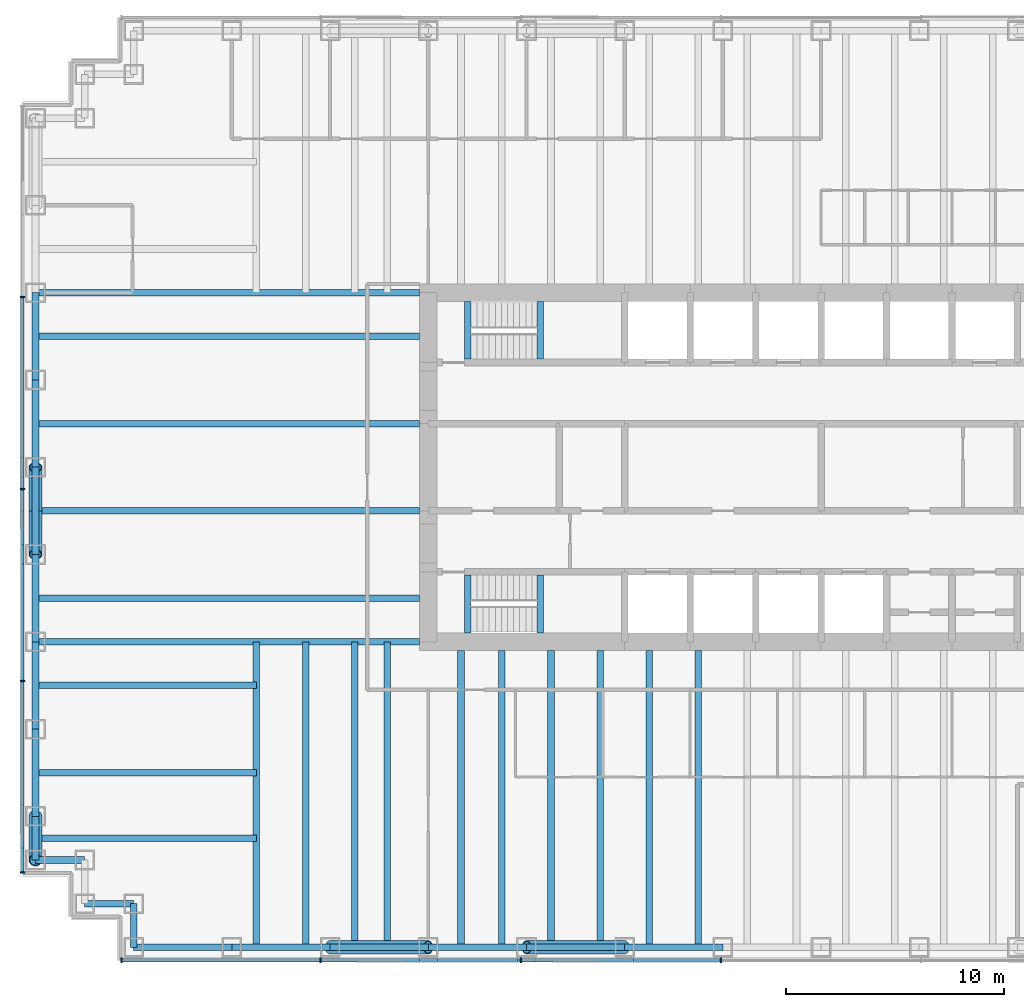
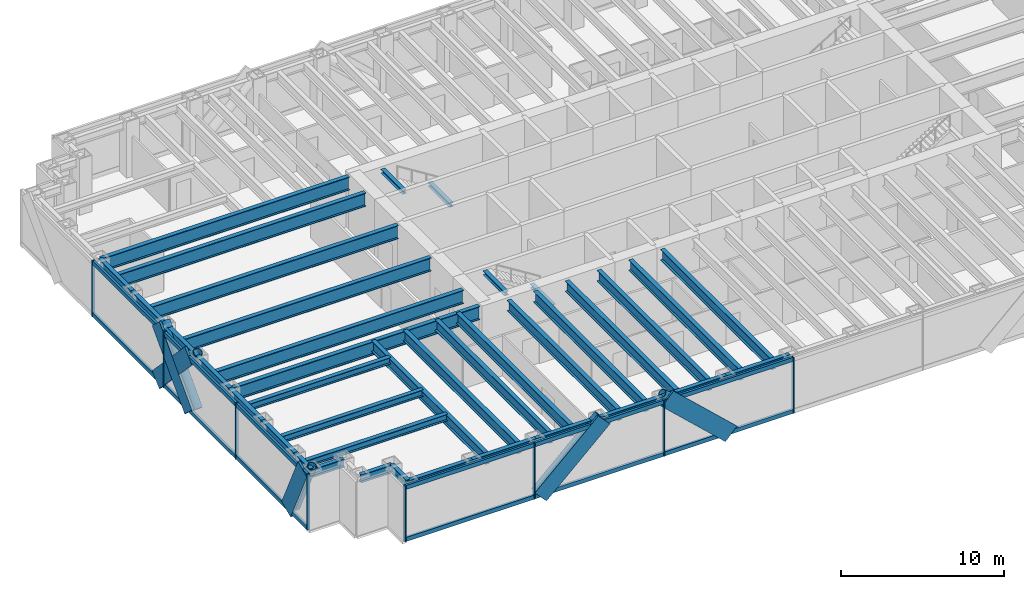
# One storey, part 2 of 14: 39 beams, 30 members, 2 elements without a shape of their own.
"""IFC4 building model written with IfcOpenShell, lengths in metres."""

import ifcopenshell
import ifcopenshell.guid

model = None  # the IFC model being written
_history = None  # IfcOwnerHistory: only IFC2X3 demands one
_inside = {}  # id of a spatial element -> (the spatial element, [elements in it])
_under = {}  # id of a project, library or spatial element -> (it, [spatial elements below it])
_declared = {}  # id of a project -> (the project, [libraries it declares])
_typed = {}  # id of a type object -> (the type object, [elements of that type])
_made_of = {}  # id of a material, layer set ... -> (it, [elements and type objects made of it])


def new_model(schema):
    """Start an empty IFC model of exactly this schema.

    Asked for "IFC4X3", IfcOpenShell would pick the latest addendum, in which some entities
    have other attributes; the version numbers below select the first issue.
    IFC2X3 requires an IfcOwnerHistory on every rooted entity: one is made here for all.
    """
    global model, _history
    if schema == "IFC4X3":
        model = ifcopenshell.file(schema_version=(4, 3, 0, 0))
    else:
        model = ifcopenshell.file(schema=schema)
    _inside.clear()
    _under.clear()
    _declared.clear()
    _typed.clear()
    _made_of.clear()
    _history = None
    if model.schema == "IFC2X3":
        org = make("IfcOrganization", Name="unknown")
        user = make(
            "IfcPersonAndOrganization",
            ThePerson=make("IfcPerson", FamilyName="unknown"),
            TheOrganization=org,
        )
        app = make(
            "IfcApplication",
            ApplicationDeveloper=org,
            Version="unknown",
            ApplicationFullName="unknown",
            ApplicationIdentifier="unknown",
        )
        _history = make(
            "IfcOwnerHistory",
            OwningUser=user,
            OwningApplication=app,
            ChangeAction="ADDED",
            CreationDate=0,
        )
    return model


def make(cls, **values):
    """One entity of the class cls with the attributes given. An attribute that is None is left unset."""
    return model.create_entity(
        cls, **{name: value for name, value in values.items() if value is not None}
    )


def rooted(cls, **values):
    """An entity with a GlobalId (a new one), such as an element, a storey or a relation."""
    return make(cls, GlobalId=ifcopenshell.guid.new(), OwnerHistory=_history, **values)


def si_unit(unit_type, name, prefix=None):
    """IfcSIUnit, for example si_unit("LENGTHUNIT", "METRE", prefix="MILLI")."""
    return make("IfcSIUnit", UnitType=unit_type, Prefix=prefix, Name=name)


def assignment(units):
    """IfcUnitAssignment: the units of a project."""
    return None if units is None else make("IfcUnitAssignment", Units=units)


def point(xyz):
    """IfcCartesianPoint."""
    return None if xyz is None else make("IfcCartesianPoint", Coordinates=xyz)


def direction(xyz):
    """IfcDirection."""
    return None if xyz is None else make("IfcDirection", DirectionRatios=xyz)


def frame(location, z_axis=None, x_axis=None):
    """IfcAxis2Placement3D, a coordinate frame: its origin and axes. An axis left out is left unset."""
    return make(
        "IfcAxis2Placement3D",
        Location=point(location),
        Axis=direction(z_axis),
        RefDirection=direction(x_axis),
    )


def frame_2d(location, x_axis=None):
    """IfcAxis2Placement2D, a coordinate frame in the plane: its origin and x axis."""
    return make(
        "IfcAxis2Placement2D", Location=point(location), RefDirection=direction(x_axis)
    )


def origin():
    """The frame at (0, 0, 0) with its axes left unset."""
    return frame((0.0, 0.0, 0.0))


def origin_2d():
    """The frame at (0, 0) in the plane with its x axis left unset."""
    return frame_2d((0.0, 0.0))


def place(relative_to, where):
    """IfcLocalPlacement: puts the frame where relative to a parent placement (None: the world)."""
    return make(
        "IfcLocalPlacement", PlacementRelTo=relative_to, RelativePlacement=where
    )


def context(
    kind, dimensions, precision=None, world=None, true_north=None, identifier=None
):
    """IfcGeometricRepresentationContext, for example the 3D "Model" context."""
    return make(
        "IfcGeometricRepresentationContext",
        ContextIdentifier=identifier,
        ContextType=kind,
        CoordinateSpaceDimension=dimensions,
        Precision=precision,
        WorldCoordinateSystem=world,
        TrueNorth=true_north,
    )


def subcontext(parent, identifier, kind, view, scale=None):
    """IfcGeometricRepresentationSubContext, for example "Body" below "Model"."""
    return make(
        "IfcGeometricRepresentationSubContext",
        ContextIdentifier=identifier,
        ContextType=kind,
        ParentContext=parent,
        TargetScale=scale,
        TargetView=view,
    )


def project(units=None, contexts=None):
    """IfcProject with its units and contexts."""
    return rooted(
        "IfcProject",
        Name="project",
        RepresentationContexts=contexts,
        UnitsInContext=assignment(units),
    )


def spatial(cls, under=None, at=None, **own):
    """A site, building, storey or space (cls), placed at a placement, below another one or the project."""
    s = rooted(cls, ObjectPlacement=at, **own)
    if under is not None:
        _under.setdefault(under.id(), (under, []))[1].append(s)
    return s


def profile(cls, at=None, kind="AREA", **sizes):
    """A parametric profile (cls). Its sizes go by their IFC names, for example OverallWidth=200.0."""
    return make(cls, ProfileType=kind, Position=at, **sizes)


def rectangle(**sizes):
    """IfcRectangleProfileDef."""
    return profile("IfcRectangleProfileDef", **sizes)


def hollow_circle(**sizes):
    """IfcCircleHollowProfileDef."""
    return profile("IfcCircleHollowProfileDef", **sizes)


def i_section(**sizes):
    """IfcIShapeProfileDef."""
    return profile("IfcIShapeProfileDef", **sizes)


def extrude(swept, where, along, depth):
    """IfcExtrudedAreaSolid: the profile swept, set in the frame where, extruded along a direction by depth."""
    return make(
        "IfcExtrudedAreaSolid",
        SweptArea=swept,
        Position=where,
        ExtrudedDirection=direction(along),
        Depth=depth,
    )


def shape(context_of_items, identifier, shape_type, items):
    """IfcShapeRepresentation: the items that make up one representation, for example the "Body"."""
    return make(
        "IfcShapeRepresentation",
        ContextOfItems=context_of_items,
        RepresentationIdentifier=identifier,
        RepresentationType=shape_type,
        Items=items,
    )


def material(Name=None, Category=None):
    """IfcMaterial."""
    return make("IfcMaterial", Name=Name, Category=Category)


def material_profile(
    of_material, cross_section, Name=None, Category=None, Priority=None
):
    """IfcMaterialProfile: a cross section and its material."""
    return make(
        "IfcMaterialProfile",
        Name=Name,
        Material=of_material,
        Profile=cross_section,
        Priority=Priority,
        Category=Category,
    )


def profile_set(profiles, Name=None, composite=None):
    """IfcMaterialProfileSet."""
    return make(
        "IfcMaterialProfileSet",
        Name=Name,
        MaterialProfiles=profiles,
        CompositeProfile=composite,
    )


def made_of(thing, what):
    """Note that an element or type object is made of a material, layer set ...; save() writes the relation."""
    if what is not None:
        _made_of.setdefault(what.id(), (what, []))[1].append(thing)
    return thing


def type_object(cls, material=None, **own):
    """A type object (cls), such as IfcWallType, which elements share."""
    return made_of(rooted(cls, **own), material)


def element(
    cls,
    number,
    at=None,
    inside=None,
    cuts=None,
    type_object=None,
    material=None,
    context=None,
    identifier="Body",
    shape_type=None,
    held_by="IfcProductDefinitionShape",
    body=None,
    shapes=None,
    **own,
):
    """One element of the class cls, such as IfcWall. Its Tag is "e" and its number.

    at: its placement. inside: the storey or other place that contains it. cuts: it is an
    opening in that element (IfcRelVoidsElement). A single representation is given by context,
    identifier, shape_type and body (its items); several are given by shapes. held_by: the class
    of the entity that holds the representations. save() writes the other relations.
    """
    e = rooted(cls, Tag="e%d" % number, ObjectPlacement=at, **own)
    if body is not None:
        shapes = [shape(context, identifier, shape_type, body)]
    if shapes is not None:
        e.Representation = make(held_by, Representations=shapes)
    if inside is not None:
        _inside.setdefault(inside.id(), (inside, []))[1].append(e)
    if cuts is not None:
        rooted(
            "IfcRelVoidsElement", RelatingBuildingElement=cuts, RelatedOpeningElement=e
        )
    if type_object is not None:
        _typed.setdefault(type_object.id(), (type_object, []))[1].append(e)
    return made_of(e, material)


def aggregate(whole, parts):
    """IfcRelAggregates: a whole, such as a stair, and the parts it consists of."""
    return rooted("IfcRelAggregates", RelatingObject=whole, RelatedObjects=parts)


def save(model, path):
    """Write the relations noted so far, then the file.

    IfcRelAggregates (storeys below a building ...), IfcRelContainedInSpatialStructure (elements
    in a storey), IfcRelDefinesByType, IfcRelAssociatesMaterial and IfcRelDeclares: one each for
    every whole, place, type object, material and project.
    """
    for whole, parts in _under.values():
        aggregate(whole, parts)
    for where, things in _inside.values():
        rooted(
            "IfcRelContainedInSpatialStructure",
            RelatedElements=things,
            RelatingStructure=where,
        )
    for kind, things in _typed.values():
        rooted("IfcRelDefinesByType", RelatedObjects=things, RelatingType=kind)
    for what, things in _made_of.values():
        rooted("IfcRelAssociatesMaterial", RelatedObjects=things, RelatingMaterial=what)
    for by, libraries in _declared.values():
        rooted("IfcRelDeclares", RelatingContext=by, RelatedDefinitions=libraries)
    model.write(path)


model = new_model("IFC4")

# Units and contexts
model_context = context("Model", 3, precision=1e-05, world=origin(), true_north=direction((0.0, 1.0)))
body_context = subcontext(model_context, "Body", "Model", "MODEL_VIEW")
ifc_project = project(units=[si_unit("LENGTHUNIT", "METRE"), si_unit("AREAUNIT", "SQUARE_METRE"), si_unit("VOLUMEUNIT", "CUBIC_METRE"), si_unit("PLANEANGLEUNIT", "RADIAN"), si_unit("MASSUNIT", "GRAM", prefix="KILO")], contexts=[model_context])

# Site, building, storey
site_placement = place(None, origin())
site = spatial("IfcSite", under=ifc_project, at=site_placement, CompositionType="ELEMENT")
building_placement = place(site_placement, origin())
building = spatial("IfcBuilding", under=site, at=building_placement, Name="Rheinbord Bourse Tower", CompositionType="ELEMENT")
storey_placement = place(building_placement, frame((0.0, 0.0, 253.0)))
storey = spatial("IfcBuildingStorey", under=building, at=storey_placement, Name="L57", CompositionType="ELEMENT", Elevation=253.0)

# Curtain wall, members
ifc_material_1 = material(Name="Dark glass and black aluminium", Category="aluminium")
curtain_wall_type = type_object("IfcCurtainWallType", Name="CW2 DARK GLASS CURTAIN WALL", PredefinedType="USERDEFINED", material=ifc_material_1)
curtain_wall_1_placement = place(storey_placement, origin())
curtain_wall_1 = element("IfcCurtainWall", 1, at=curtain_wall_1_placement, inside=storey, type_object=curtain_wall_type, Name="Curtain wall CW2 S L57", ObjectType="UNITISED CURTAIN WALL", PredefinedType="USERDEFINED")
ifc_material_2 = material(Name="Black anodised aluminium", Category="aluminium")
ifc_material_profile_1 = material_profile(ifc_material_2, rectangle(XDim=0.159912109375, YDim=1.2099609375, at=origin_2d()), Name="CW2 DIAGONAL MULLION 1210x160")
ifc_profile_set_1 = profile_set([ifc_material_profile_1], Name="Black anodised aluminium")
member_type_1 = type_object("IfcMemberType", Name="CW2 BLACK DIAGONAL MULLION", PredefinedType="USERDEFINED", material=ifc_profile_set_1)
member_1_placement = place(storey_placement, frame((13.5, 1.39990234375, 0.0), z_axis=(0.73105922506, 0.0, 0.682314010889), x_axis=(0.0, 1.0, 0.0)))
member_1 = element("IfcMember", 2, at=member_1_placement, type_object=member_type_1, Name="CW2 diagonal mullion a", ObjectType="DIAGONAL MULLION", PredefinedType="USERDEFINED", context=body_context, shape_type="SweptSolid", body=[
    extrude(rectangle(XDim=0.159912109375, YDim=1.2099609375, at=origin_2d()), origin(), (0.0, 0.0, 1.0), 6.155517578125),
])
member_2_placement = place(storey_placement, frame((27.0, 1.39990234375, 0.0), z_axis=(-0.73105922506, 0.0, 0.682314010889), x_axis=(0.0, -1.0, 0.0)))
member_2 = element("IfcMember", 3, at=member_2_placement, type_object=member_type_1, Name="CW2 diagonal mullion d", ObjectType="DIAGONAL MULLION", PredefinedType="USERDEFINED", context=body_context, shape_type="SweptSolid", body=[
    extrude(rectangle(XDim=0.159912109375, YDim=1.2099609375, at=origin_2d()), origin(), (0.0, 0.0, 1.0), 6.155517578125),
])

curtain_wall_2_placement = place(storey_placement, origin())
curtain_wall_2 = element("IfcCurtainWall", 4, at=curtain_wall_2_placement, inside=storey, type_object=curtain_wall_type, Name="Curtain wall CW2 W L57", ObjectType="UNITISED CURTAIN WALL", PredefinedType="USERDEFINED")
member_3_placement = place(storey_placement, frame((-0.60009765625, 20.0, 0.0), z_axis=(0.0, 0.689659376744, 0.724133926887), x_axis=(-1.0, 0.0, 0.0)))
member_3 = element("IfcMember", 5, at=member_3_placement, type_object=member_type_1, Name="CW2 diagonal mullion a", ObjectType="DIAGONAL MULLION", PredefinedType="USERDEFINED", context=body_context, shape_type="SweptSolid", body=[
    extrude(rectangle(XDim=0.159912109375, YDim=1.2099609375, at=origin_2d()), origin(), (0.0, 0.0, 1.0), 5.800048828125),
])
member_4_placement = place(storey_placement, frame((-0.60009765625, 24.0, 0.0), z_axis=(0.0, -0.689659376744, 0.724133926887), x_axis=(1.0, 0.0, 0.0)))
member_4 = element("IfcMember", 6, at=member_4_placement, type_object=member_type_1, Name="CW2 diagonal mullion b", ObjectType="DIAGONAL MULLION", PredefinedType="USERDEFINED", context=body_context, shape_type="SweptSolid", body=[
    extrude(rectangle(XDim=0.159912109375, YDim=1.2099609375, at=origin_2d()), origin(), (0.0, 0.0, 1.0), 5.800048828125),
])
member_5_placement = place(storey_placement, frame((-0.60009765625, 8.0, 0.0), z_axis=(0.0, -0.429937654825, 0.902858578607), x_axis=(1.0, 0.0, 0.0)))
member_5 = element("IfcMember", 7, at=member_5_placement, type_object=member_type_1, Name="CW2 diagonal mullion d", ObjectType="DIAGONAL MULLION", PredefinedType="USERDEFINED", context=body_context, shape_type="SweptSolid", body=[
    extrude(rectangle(XDim=0.159912109375, YDim=1.2099609375, at=origin_2d()), origin(), (0.0, 0.0, 1.0), 4.65185546875),
])

# Member
ifc_material_3 = material(Name="Black anodised aluminium", Category="aluminium")
ifc_material_profile_2 = material_profile(ifc_material_3, rectangle(XDim=0.219970703125, YDim=0.070068359375, at=origin_2d()), Name="CW2 MULLION 70x220")
ifc_profile_set_2 = profile_set([ifc_material_profile_2], Name="Black anodised aluminium")
member_type_2 = type_object("IfcMemberType", Name="CW2 BLACK MULLION", PredefinedType="MULLION", material=ifc_profile_set_2)
member_6_placement = place(storey_placement, frame((3.93505859375, 1.39990234375, 0.0), z_axis=(0.0, 0.0, 1.0), x_axis=(0.0, 1.0, 0.0)))
member_6 = element("IfcMember", 8, at=member_6_placement, type_object=member_type_2, Name="CW2 mullion 1", PredefinedType="MULLION", context=body_context, shape_type="SweptSolid", body=[
    extrude(rectangle(XDim=0.219970703125, YDim=0.070068359375, at=origin_2d()), origin(), (0.0, 0.0, 1.0), 4.199951171875),
])

member_7_placement = place(storey_placement, frame((13.071533203125, 1.39990234375, 0.0), z_axis=(0.0, 0.0, 1.0), x_axis=(0.0, 1.0, 0.0)))
member_7 = element("IfcMember", 9, at=member_7_placement, type_object=member_type_2, Name="CW2 mullion 2", PredefinedType="MULLION", context=body_context, shape_type="SweptSolid", body=[
    extrude(rectangle(XDim=0.219970703125, YDim=0.070068359375, at=origin_2d()), origin(), (0.0, 0.0, 1.0), 4.199951171875),
])

member_8_placement = place(storey_placement, frame((22.242919921875, 1.39990234375, 0.0), z_axis=(0.0, 0.0, 1.0), x_axis=(0.0, 1.0, 0.0)))
member_8 = element("IfcMember", 10, at=member_8_placement, type_object=member_type_2, Name="CW2 mullion 3", PredefinedType="MULLION", context=body_context, shape_type="SweptSolid", body=[
    extrude(rectangle(XDim=0.219970703125, YDim=0.070068359375, at=origin_2d()), origin(), (0.0, 0.0, 1.0), 4.199951171875),
])

member_9_placement = place(storey_placement, frame((31.414306640625, 1.39990234375, 0.0), z_axis=(0.0, 0.0, 1.0), x_axis=(0.0, 1.0, 0.0)))
member_9 = element("IfcMember", 11, at=member_9_placement, type_object=member_type_2, Name="CW2 mullion 4", PredefinedType="MULLION", context=body_context, shape_type="SweptSolid", body=[
    extrude(rectangle(XDim=0.219970703125, YDim=0.070068359375, at=origin_2d()), origin(), (0.0, 0.0, 1.0), 4.199951171875),
])

member_10_placement = place(storey_placement, frame((-0.60009765625, 31.800048828125, 0.0), z_axis=(0.0, 0.0, 1.0), x_axis=(1.0, 0.0, 0.0)))
member_10 = element("IfcMember", 12, at=member_10_placement, type_object=member_type_2, Name="CW2 mullion 2", PredefinedType="MULLION", context=body_context, shape_type="SweptSolid", body=[
    extrude(rectangle(XDim=0.219970703125, YDim=0.070068359375, at=origin_2d()), origin(), (0.0, 0.0, 1.0), 4.199951171875),
])

member_11_placement = place(storey_placement, frame((-0.60009765625, 23.0, 0.0), z_axis=(0.0, 0.0, 1.0), x_axis=(1.0, 0.0, 0.0)))
member_11 = element("IfcMember", 13, at=member_11_placement, type_object=member_type_2, Name="CW2 mullion 3", PredefinedType="MULLION", context=body_context, shape_type="SweptSolid", body=[
    extrude(rectangle(XDim=0.219970703125, YDim=0.070068359375, at=origin_2d()), origin(), (0.0, 0.0, 1.0), 4.199951171875),
])

member_12_placement = place(storey_placement, frame((-0.60009765625, 14.199951171875, 0.0), z_axis=(0.0, 0.0, 1.0), x_axis=(1.0, 0.0, 0.0)))
member_12 = element("IfcMember", 14, at=member_12_placement, type_object=member_type_2, Name="CW2 mullion 4", PredefinedType="MULLION", context=body_context, shape_type="SweptSolid", body=[
    extrude(rectangle(XDim=0.219970703125, YDim=0.070068359375, at=origin_2d()), origin(), (0.0, 0.0, 1.0), 4.199951171875),
])

member_13_placement = place(storey_placement, frame((-0.60009765625, 5.43505859375, 0.0), z_axis=(0.0, 0.0, 1.0), x_axis=(1.0, 0.0, 0.0)))
member_13 = element("IfcMember", 15, at=member_13_placement, type_object=member_type_2, Name="CW2 mullion 5", PredefinedType="MULLION", context=body_context, shape_type="SweptSolid", body=[
    extrude(rectangle(XDim=0.219970703125, YDim=0.070068359375, at=origin_2d()), origin(), (0.0, 0.0, 1.0), 4.199951171875),
])

ifc_material_4 = material(Name="Black anodised aluminium", Category="aluminium")
ifc_material_profile_3 = material_profile(ifc_material_4, rectangle(XDim=0.159912109375, YDim=0.300048828125, at=origin_2d()), Name="CW2 TRANSOM 300x160")
ifc_profile_set_3 = profile_set([ifc_material_profile_3], Name="Black anodised aluminium")
member_type_3 = type_object("IfcMemberType", Name="CW2 BLACK TRANSOM", PredefinedType="USERDEFINED", material=ifc_profile_set_3)
member_14_placement = place(storey_placement, frame((3.969970703125, 1.39990234375, 0.14990234375), z_axis=(1.0, 0.0, 0.0), x_axis=(0.0, 1.0, 0.0)))
member_14 = element("IfcMember", 16, at=member_14_placement, type_object=member_type_3, Name="CW2 transom 1.1", ObjectType="TRANSOM", PredefinedType="USERDEFINED", context=body_context, shape_type="SweptSolid", body=[
    extrude(rectangle(XDim=0.159912109375, YDim=0.300048828125, at=origin_2d()), origin(), (0.0, 0.0, 1.0), 9.06640625),
])

member_15_placement = place(storey_placement, frame((3.969970703125, 1.39990234375, 4.050048828125), z_axis=(1.0, 0.0, 0.0), x_axis=(0.0, 1.0, 0.0)))
member_15 = element("IfcMember", 17, at=member_15_placement, type_object=member_type_3, Name="CW2 transom 1.2", ObjectType="TRANSOM", PredefinedType="USERDEFINED", context=body_context, shape_type="SweptSolid", body=[
    extrude(rectangle(XDim=0.159912109375, YDim=0.300048828125, at=origin_2d()), origin(), (0.0, 0.0, 1.0), 9.06640625),
])

member_16_placement = place(storey_placement, frame((13.1064453125, 1.39990234375, 0.14990234375), z_axis=(1.0, 0.0, 0.0), x_axis=(0.0, 1.0, 0.0)))
member_16 = element("IfcMember", 18, at=member_16_placement, type_object=member_type_3, Name="CW2 transom 2.1", ObjectType="TRANSOM", PredefinedType="USERDEFINED", context=body_context, shape_type="SweptSolid", body=[
    extrude(rectangle(XDim=0.159912109375, YDim=0.300048828125, at=origin_2d()), origin(), (0.0, 0.0, 1.0), 9.101318359375),
])

member_17_placement = place(storey_placement, frame((13.1064453125, 1.39990234375, 4.050048828125), z_axis=(1.0, 0.0, 0.0), x_axis=(0.0, 1.0, 0.0)))
member_17 = element("IfcMember", 19, at=member_17_placement, type_object=member_type_3, Name="CW2 transom 2.2", ObjectType="TRANSOM", PredefinedType="USERDEFINED", context=body_context, shape_type="SweptSolid", body=[
    extrude(rectangle(XDim=0.159912109375, YDim=0.300048828125, at=origin_2d()), origin(), (0.0, 0.0, 1.0), 9.101318359375),
])

member_18_placement = place(storey_placement, frame((22.27783203125, 1.39990234375, 0.14990234375), z_axis=(1.0, 0.0, 0.0), x_axis=(0.0, 1.0, 0.0)))
member_18 = element("IfcMember", 20, at=member_18_placement, type_object=member_type_3, Name="CW2 transom 3.1", ObjectType="TRANSOM", PredefinedType="USERDEFINED", context=body_context, shape_type="SweptSolid", body=[
    extrude(rectangle(XDim=0.159912109375, YDim=0.300048828125, at=origin_2d()), origin(), (0.0, 0.0, 1.0), 9.1015625),
])

member_19_placement = place(storey_placement, frame((22.27783203125, 1.39990234375, 4.050048828125), z_axis=(1.0, 0.0, 0.0), x_axis=(0.0, 1.0, 0.0)))
member_19 = element("IfcMember", 21, at=member_19_placement, type_object=member_type_3, Name="CW2 transom 3.2", ObjectType="TRANSOM", PredefinedType="USERDEFINED", context=body_context, shape_type="SweptSolid", body=[
    extrude(rectangle(XDim=0.159912109375, YDim=0.300048828125, at=origin_2d()), origin(), (0.0, 0.0, 1.0), 9.1015625),
])

aggregate(curtain_wall_1, [member_6, member_7, member_8, member_9, member_14, member_15, member_16, member_17, member_18, member_19, member_1, member_2])

member_20_placement = place(storey_placement, frame((-0.60009765625, 31.764892578125, 0.14990234375), z_axis=(0.0, -1.0, 0.0), x_axis=(1.0, 0.0, 0.0)))
member_20 = element("IfcMember", 22, at=member_20_placement, type_object=member_type_3, Name="CW2 transom 2.1", ObjectType="TRANSOM", PredefinedType="USERDEFINED", context=body_context, shape_type="SweptSolid", body=[
    extrude(rectangle(XDim=0.159912109375, YDim=0.300048828125, at=origin_2d()), origin(), (0.0, 0.0, 1.0), 8.72998046875),
])

member_21_placement = place(storey_placement, frame((-0.60009765625, 31.764892578125, 4.050048828125), z_axis=(0.0, -1.0, 0.0), x_axis=(1.0, 0.0, 0.0)))
member_21 = element("IfcMember", 23, at=member_21_placement, type_object=member_type_3, Name="CW2 transom 2.2", ObjectType="TRANSOM", PredefinedType="USERDEFINED", context=body_context, shape_type="SweptSolid", body=[
    extrude(rectangle(XDim=0.159912109375, YDim=0.300048828125, at=origin_2d()), origin(), (0.0, 0.0, 1.0), 8.72998046875),
])

member_22_placement = place(storey_placement, frame((-0.60009765625, 22.965087890625, 0.14990234375), z_axis=(0.0, -1.0, 0.0), x_axis=(1.0, 0.0, 0.0)))
member_22 = element("IfcMember", 24, at=member_22_placement, type_object=member_type_3, Name="CW2 transom 3.1", ObjectType="TRANSOM", PredefinedType="USERDEFINED", context=body_context, shape_type="SweptSolid", body=[
    extrude(rectangle(XDim=0.159912109375, YDim=0.300048828125, at=origin_2d()), origin(), (0.0, 0.0, 1.0), 8.72998046875),
])

member_23_placement = place(storey_placement, frame((-0.60009765625, 22.965087890625, 4.050048828125), z_axis=(0.0, -1.0, 0.0), x_axis=(1.0, 0.0, 0.0)))
member_23 = element("IfcMember", 25, at=member_23_placement, type_object=member_type_3, Name="CW2 transom 3.2", ObjectType="TRANSOM", PredefinedType="USERDEFINED", context=body_context, shape_type="SweptSolid", body=[
    extrude(rectangle(XDim=0.159912109375, YDim=0.300048828125, at=origin_2d()), origin(), (0.0, 0.0, 1.0), 8.72998046875),
])

member_24_placement = place(storey_placement, frame((-0.60009765625, 14.1650390625, 0.14990234375), z_axis=(0.0, -1.0, 0.0), x_axis=(1.0, 0.0, 0.0)))
member_24 = element("IfcMember", 26, at=member_24_placement, type_object=member_type_3, Name="CW2 transom 4.1", ObjectType="TRANSOM", PredefinedType="USERDEFINED", context=body_context, shape_type="SweptSolid", body=[
    extrude(rectangle(XDim=0.159912109375, YDim=0.300048828125, at=origin_2d()), origin(), (0.0, 0.0, 1.0), 8.695068359375),
])

member_25_placement = place(storey_placement, frame((-0.60009765625, 14.1650390625, 4.050048828125), z_axis=(0.0, -1.0, 0.0), x_axis=(1.0, 0.0, 0.0)))
member_25 = element("IfcMember", 27, at=member_25_placement, type_object=member_type_3, Name="CW2 transom 4.2", ObjectType="TRANSOM", PredefinedType="USERDEFINED", context=body_context, shape_type="SweptSolid", body=[
    extrude(rectangle(XDim=0.159912109375, YDim=0.300048828125, at=origin_2d()), origin(), (0.0, 0.0, 1.0), 8.695068359375),
])

aggregate(curtain_wall_2, [member_10, member_11, member_12, member_13, member_20, member_21, member_22, member_23, member_24, member_25, member_3, member_4, member_5])

# Beams
ifc_material_5 = material(Name="Steel S460", Category="steel")
ifc_material_profile_4 = material_profile(ifc_material_5, i_section(OverallWidth=0.302001953125, OverallDepth=1.008056640625, WebThickness=0.02099609375, FlangeThickness=0.0400390625, at=origin_2d()), Name="HEM 1000")
ifc_profile_set_4 = profile_set([ifc_material_profile_4], Name="Steel S460")
beam_type_1 = type_object("IfcBeamType", Name="END BEAM HEM 1000", PredefinedType="BEAM", material=ifc_profile_set_4)
for number, where, z_axis, x_axis, name in (
    (28, (0.0, 18.0, 3.535888671875), (1.0, 0.0, 0.0), (0.0, 1.0, 0.0), "End beam west 18 L58"),
    (29, (0.0, 22.0, 3.535888671875), (1.0, 0.0, 0.0), (0.0, 1.0, 0.0), "End beam west 22 L58"),
    (30, (0.0, 26.0, 3.535888671875), (1.0, 0.0, 0.0), (0.0, 1.0, 0.0), "End beam west 26 L58"),
    (31, (0.0, 30.0, 3.535888671875), (1.0, 0.0, 0.0), (0.0, 1.0, 0.0), "End beam west 30 L58"),
):
    element("IfcBeam", number, at=place(storey_placement, frame(where, z_axis=z_axis, x_axis=x_axis)), inside=storey, type_object=beam_type_1, Name=name, PredefinedType="BEAM", context=body_context, shape_type="SweptSolid", body=[
        extrude(i_section(OverallWidth=0.302001953125, OverallDepth=1.008056640625, WebThickness=0.02099609375, FlangeThickness=0.0400390625, at=origin_2d()), origin(), (0.0, 0.0, 1.0), 17.60009765625),
    ])
ifc_material_6 = material(Name="Steel S460", Category="steel")
ifc_material_profile_5 = material_profile(ifc_material_6, i_section(OverallWidth=0.300048828125, OverallDepth=0.800048828125, WebThickness=0.017578125, FlangeThickness=0.032958984375, at=origin_2d()), Name="HEB 800")
ifc_profile_set_5 = profile_set([ifc_material_profile_5], Name="Steel S460")
beam_type_2 = type_object("IfcBeamType", Name="FLOOR BEAM HEB 800", PredefinedType="BEAM", material=ifc_profile_set_5)
for number, where, z_axis, x_axis, name in (
    (32, (10.125, 2.0, 3.639892578125), (0.0, 1.0, 0.0), (-1.0, 0.0, 0.0), "Floor beam S-9a L58"),
    (33, (12.375, 2.0, 3.639892578125), (0.0, 1.0, 0.0), (-1.0, 0.0, 0.0), "Floor beam S-9b L58"),
    (34, (14.625, 2.0, 3.639892578125), (0.0, 1.0, 0.0), (-1.0, 0.0, 0.0), "Floor beam S-13.5a L58"),
    (35, (16.125, 2.0, 3.639892578125), (0.0, 1.0, 0.0), (-1.0, 0.0, 0.0), "Floor beam S-13.5b L58"),
):
    element("IfcBeam", number, at=place(storey_placement, frame(where, z_axis=z_axis, x_axis=x_axis)), inside=storey, type_object=beam_type_2, Name=name, PredefinedType="BEAM", context=body_context, shape_type="SweptSolid", body=[
        extrude(i_section(OverallWidth=0.300048828125, OverallDepth=0.800048828125, WebThickness=0.017578125, FlangeThickness=0.032958984375, at=origin_2d()), origin(), (0.0, 0.0, 1.0), 14.0),
    ])
for number, where, z_axis, x_axis, name in (
    (36, (19.5, 2.0, 3.639892578125), (0.0, 1.0, 0.0), (-1.0, 0.0, 0.0), "Floor beam S-18a L58"),
    (37, (21.375, 2.0, 3.639892578125), (0.0, 1.0, 0.0), (-1.0, 0.0, 0.0), "Floor beam S-18b L58"),
    (38, (23.625, 2.0, 3.639892578125), (0.0, 1.0, 0.0), (-1.0, 0.0, 0.0), "Floor beam S-22.5a L58"),
    (39, (25.875, 2.0, 3.639892578125), (0.0, 1.0, 0.0), (-1.0, 0.0, 0.0), "Floor beam S-22.5b L58"),
    (40, (28.125, 2.0, 3.639892578125), (0.0, 1.0, 0.0), (-1.0, 0.0, 0.0), "Floor beam S-27a L58"),
    (41, (30.375, 2.0, 3.639892578125), (0.0, 1.0, 0.0), (-1.0, 0.0, 0.0), "Floor beam S-27b L58"),
):
    element("IfcBeam", number, at=place(storey_placement, frame(where, z_axis=z_axis, x_axis=x_axis)), inside=storey, type_object=beam_type_2, Name=name, PredefinedType="BEAM", context=body_context, shape_type="SweptSolid", body=[
        extrude(i_section(OverallWidth=0.300048828125, OverallDepth=0.800048828125, WebThickness=0.017578125, FlangeThickness=0.032958984375, at=origin_2d()), origin(), (0.0, 0.0, 1.0), 13.60009765625),
    ])
ifc_material_7 = material(Name="Steel S460", Category="steel")
ifc_material_profile_6 = material_profile(ifc_material_7, i_section(OverallWidth=0.302001953125, OverallDepth=1.008056640625, WebThickness=0.02099609375, FlangeThickness=0.0400390625, at=origin_2d()), Name="HEM 1000")
ifc_profile_set_6 = profile_set([ifc_material_profile_6], Name="Steel S460")
beam_type_3 = type_object("IfcBeamType", Name="GIRDER HEM 1000", PredefinedType="BEAM", material=ifc_profile_set_6)
for number, where, z_axis, x_axis, name in (
    (42, (0.0, 16.0, 3.535888671875), (1.0, 0.0, 0.0), (0.0, 1.0, 0.0), "Girder west 16 L58"),
    (43, (0.0, 32.0, 3.535888671875), (1.0, 0.0, 0.0), (0.0, 1.0, 0.0), "Girder west 32 L58"),
):
    element("IfcBeam", number, at=place(storey_placement, frame(where, z_axis=z_axis, x_axis=x_axis)), inside=storey, type_object=beam_type_3, Name=name, PredefinedType="BEAM", context=body_context, shape_type="SweptSolid", body=[
        extrude(i_section(OverallWidth=0.302001953125, OverallDepth=1.008056640625, WebThickness=0.02099609375, FlangeThickness=0.0400390625, at=origin_2d()), origin(), (0.0, 0.0, 1.0), 17.60009765625),
    ])
ifc_material_8 = material(Name="Steel S460", Category="steel")
ifc_material_profile_7 = material_profile(ifc_material_8, i_section(OverallWidth=0.300048828125, OverallDepth=0.300048828125, WebThickness=0.010986328125, FlangeThickness=0.01904296875, at=origin_2d()), Name="HEB 300")
ifc_profile_set_7 = profile_set([ifc_material_profile_7], Name="Steel S460")
beam_type_4 = type_object("IfcBeamType", Name="LANDING TRIMMER HEB 300", PredefinedType="BEAM", material=ifc_profile_set_7)
for number, where, z_axis, x_axis, name in (
    (44, (23.1298828125, 16.39990234375, 1.75), (0.0, 1.0, 0.0), (-1.0, 0.0, 0.0), "Landing trimmer ST1 L57"),
    (45, (19.800048828125, 16.39990234375, 3.889892578125), (0.0, 1.0, 0.0), (-1.0, 0.0, 0.0), "Well trimmer ST1 under L58"),
    (46, (23.1298828125, 28.949951171875, 1.75), (0.0, 1.0, 0.0), (-1.0, 0.0, 0.0), "Landing trimmer ST2 L57"),
    (47, (19.800048828125, 28.949951171875, 3.889892578125), (0.0, 1.0, 0.0), (-1.0, 0.0, 0.0), "Well trimmer ST2 under L58"),
):
    element("IfcBeam", number, at=place(storey_placement, frame(where, z_axis=z_axis, x_axis=x_axis)), inside=storey, type_object=beam_type_4, Name=name, PredefinedType="BEAM", context=body_context, shape_type="SweptSolid", body=[
        extrude(i_section(OverallWidth=0.300048828125, OverallDepth=0.300048828125, WebThickness=0.010986328125, FlangeThickness=0.01904296875, at=origin_2d()), origin(), (0.0, 0.0, 1.0), 2.650146484375),
    ])

# Members
ifc_material_9 = material(Name="Steel S460", Category="steel")
ifc_material_profile_8 = material_profile(ifc_material_9, hollow_circle(Radius=0.304931640625, WallThickness=0.0400390625, at=origin_2d()), Name="CHS 610x40")
ifc_profile_set_8 = profile_set([ifc_material_profile_8], Name="Steel S460")
member_type_4 = type_object("IfcMemberType", Name="MEGABRACE CHS 610x40", PredefinedType="BRACE", material=ifc_profile_set_8)
for number, where, z_axis, x_axis, name in (
    (48, (13.5, 2.0, 0.0), (0.73105922506, 0.0, 0.682314010889), (0.0, 1.0, 0.0), "Megabrace S face line a L57"),
    (49, (27.0, 2.0, 0.0), (-0.73105922506, 0.0, 0.682314010889), (0.0, -1.0, 0.0), "Megabrace S face line d L57"),
):
    element("IfcMember", number, at=place(storey_placement, frame(where, z_axis=z_axis, x_axis=x_axis)), inside=storey, type_object=member_type_4, Name=name, PredefinedType="BRACE", context=body_context, shape_type="SweptSolid", body=[
        extrude(hollow_circle(Radius=0.304931640625, WallThickness=0.0400390625, at=origin_2d()), origin(), (0.0, 0.0, 1.0), 6.155517578125),
    ])
for number, where, z_axis, x_axis, name in (
    (50, (0.0, 20.0, 0.0), (0.0, 0.689659376744, 0.724133926887), (-1.0, 0.0, 0.0), "Megabrace W face line a L57"),
    (51, (0.0, 24.0, 0.0), (0.0, -0.689659376744, 0.724133926887), (1.0, 0.0, 0.0), "Megabrace W face line b L57"),
):
    element("IfcMember", number, at=place(storey_placement, frame(where, z_axis=z_axis, x_axis=x_axis)), inside=storey, type_object=member_type_4, Name=name, PredefinedType="BRACE", context=body_context, shape_type="SweptSolid", body=[
        extrude(hollow_circle(Radius=0.304931640625, WallThickness=0.0400390625, at=origin_2d()), origin(), (0.0, 0.0, 1.0), 5.800048828125),
    ])
member_26_placement = place(storey_placement, frame((0.0, 8.0, 0.0), z_axis=(0.0, -0.429937654825, 0.902858578607), x_axis=(1.0, 0.0, 0.0)))
element("IfcMember", 52, at=member_26_placement, inside=storey, type_object=member_type_4, Name="Megabrace W face line d L57", PredefinedType="BRACE", context=body_context, shape_type="SweptSolid", body=[
    extrude(hollow_circle(Radius=0.304931640625, WallThickness=0.0400390625, at=origin_2d()), origin(), (0.0, 0.0, 1.0), 4.65185546875),
])

# Beams
ifc_material_10 = material(Name="Steel S460", Category="steel")
ifc_material_profile_9 = material_profile(ifc_material_10, i_section(OverallWidth=0.300048828125, OverallDepth=0.60009765625, WebThickness=0.015380859375, FlangeThickness=0.030029296875, at=origin_2d()), Name="HEB 600")
ifc_profile_set_9 = profile_set([ifc_material_profile_9], Name="Steel S460")
beam_type_5 = type_object("IfcBeamType", Name="SPANDREL HEB 600", PredefinedType="SPANDREL", material=ifc_profile_set_9)
for number, where, z_axis, x_axis, name in (
    (53, (4.5, 2.0, 3.739990234375), (1.0, 0.0, 0.0), (0.0, 1.0, 0.0), "Spandrel SW-E-S-9 under L58"),
    (54, (9.0, 2.0, 3.739990234375), (1.0, 0.0, 0.0), (0.0, 1.0, 0.0), "Spandrel S-9-S-13.5 under L58"),
    (55, (13.5, 2.0, 3.739990234375), (1.0, 0.0, 0.0), (0.0, 1.0, 0.0), "Spandrel S-13.5-S-18 under L58"),
    (56, (18.0, 2.0, 3.739990234375), (1.0, 0.0, 0.0), (0.0, 1.0, 0.0), "Spandrel S-18-S-22.5 under L58"),
    (57, (22.5, 2.0, 3.739990234375), (1.0, 0.0, 0.0), (0.0, 1.0, 0.0), "Spandrel S-22.5-S-27 under L58"),
    (58, (27.0, 2.0, 3.739990234375), (1.0, 0.0, 0.0), (0.0, 1.0, 0.0), "Spandrel S-27-S-31.5 under L58"),
):
    element("IfcBeam", number, at=place(storey_placement, frame(where, z_axis=z_axis, x_axis=x_axis)), inside=storey, type_object=beam_type_5, Name=name, PredefinedType="SPANDREL", context=body_context, shape_type="SweptSolid", body=[
        extrude(i_section(OverallWidth=0.300048828125, OverallDepth=0.60009765625, WebThickness=0.015380859375, FlangeThickness=0.030029296875, at=origin_2d()), origin(), (0.0, 0.0, 1.0), 4.5),
    ])
for number, where, z_axis, x_axis, name in (
    (59, (0.0, 32.0, 3.739990234375), (0.0, -1.0, 0.0), (1.0, 0.0, 0.0), "Spandrel W-32-W-28 under L58"),
    (60, (0.0, 28.0, 3.739990234375), (0.0, -1.0, 0.0), (1.0, 0.0, 0.0), "Spandrel W-28-W-24 under L58"),
    (61, (0.0, 24.0, 3.739990234375), (0.0, -1.0, 0.0), (1.0, 0.0, 0.0), "Spandrel W-24-W-20 under L58"),
    (62, (0.0, 20.0, 3.739990234375), (0.0, -1.0, 0.0), (1.0, 0.0, 0.0), "Spandrel W-20-W-16 under L58"),
    (63, (0.0, 16.0, 3.739990234375), (0.0, -1.0, 0.0), (1.0, 0.0, 0.0), "Spandrel W-16-W-12 under L58"),
    (64, (0.0, 12.0, 3.739990234375), (0.0, -1.0, 0.0), (1.0, 0.0, 0.0), "Spandrel W-12-W-8 under L58"),
):
    element("IfcBeam", number, at=place(storey_placement, frame(where, z_axis=z_axis, x_axis=x_axis)), inside=storey, type_object=beam_type_5, Name=name, PredefinedType="SPANDREL", context=body_context, shape_type="SweptSolid", body=[
        extrude(i_section(OverallWidth=0.300048828125, OverallDepth=0.60009765625, WebThickness=0.015380859375, FlangeThickness=0.030029296875, at=origin_2d()), origin(), (0.0, 0.0, 1.0), 4.0),
    ])
beam_1_placement = place(storey_placement, frame((0.0, 8.0, 3.739990234375), z_axis=(0.0, -1.0, 0.0), x_axis=(1.0, 0.0, 0.0)))
element("IfcBeam", 65, at=beam_1_placement, inside=storey, type_object=beam_type_5, Name="Spandrel W-8-SW-A under L58", PredefinedType="SPANDREL", context=body_context, shape_type="SweptSolid", body=[
    extrude(i_section(OverallWidth=0.300048828125, OverallDepth=0.60009765625, WebThickness=0.015380859375, FlangeThickness=0.030029296875, at=origin_2d()), origin(), (0.0, 0.0, 1.0), 2.0),
])
for number, where, z_axis, x_axis, name in (
    (66, (0.0, 6.0, 3.739990234375), (1.0, 0.0, 0.0), (0.0, 1.0, 0.0), "Spandrel SW-A-SW-B under L58"),
    (67, (2.25, 4.0, 3.739990234375), (1.0, 0.0, 0.0), (0.0, 1.0, 0.0), "Spandrel SW-C-SW-D under L58"),
):
    element("IfcBeam", number, at=place(storey_placement, frame(where, z_axis=z_axis, x_axis=x_axis)), inside=storey, type_object=beam_type_5, Name=name, PredefinedType="SPANDREL", context=body_context, shape_type="SweptSolid", body=[
        extrude(i_section(OverallWidth=0.300048828125, OverallDepth=0.60009765625, WebThickness=0.015380859375, FlangeThickness=0.030029296875, at=origin_2d()), origin(), (0.0, 0.0, 1.0), 2.25),
    ])
beam_2_placement = place(storey_placement, frame((4.5, 4.0, 3.739990234375), z_axis=(0.0, -1.0, 0.0), x_axis=(1.0, 0.0, 0.0)))
element("IfcBeam", 68, at=beam_2_placement, inside=storey, type_object=beam_type_5, Name="Spandrel SW-D-SW-E under L58", PredefinedType="SPANDREL", context=body_context, shape_type="SweptSolid", body=[
    extrude(i_section(OverallWidth=0.300048828125, OverallDepth=0.60009765625, WebThickness=0.015380859375, FlangeThickness=0.030029296875, at=origin_2d()), origin(), (0.0, 0.0, 1.0), 2.0),
])
ifc_material_11 = material(Name="Steel S460", Category="steel")
ifc_material_profile_10 = material_profile(ifc_material_11, i_section(OverallWidth=0.300048828125, OverallDepth=0.5, WebThickness=0.014404296875, FlangeThickness=0.028076171875, at=origin_2d()), Name="HEB 500")
ifc_profile_set_10 = profile_set([ifc_material_profile_10], Name="Steel S460")
beam_type_6 = type_object("IfcBeamType", Name="TIE BEAM HEB 500", PredefinedType="JOIST", material=ifc_profile_set_10)
for number, where, z_axis, x_axis, name in (
    (69, (0.0, 7.0, 3.7900390625), (1.0, 0.0, 0.0), (0.0, 1.0, 0.0), "Tie west 7 L58"),
    (70, (0.0, 10.0, 3.7900390625), (1.0, 0.0, 0.0), (0.0, 1.0, 0.0), "Tie west 10 L58"),
    (71, (0.0, 14.0, 3.7900390625), (1.0, 0.0, 0.0), (0.0, 1.0, 0.0), "Tie west 14 L58"),
):
    element("IfcBeam", number, at=place(storey_placement, frame(where, z_axis=z_axis, x_axis=x_axis)), inside=storey, type_object=beam_type_6, Name=name, PredefinedType="JOIST", context=body_context, shape_type="SweptSolid", body=[
        extrude(i_section(OverallWidth=0.300048828125, OverallDepth=0.5, WebThickness=0.014404296875, FlangeThickness=0.028076171875, at=origin_2d()), origin(), (0.0, 0.0, 1.0), 10.125),
    ])

save(model, "model.ifc")
